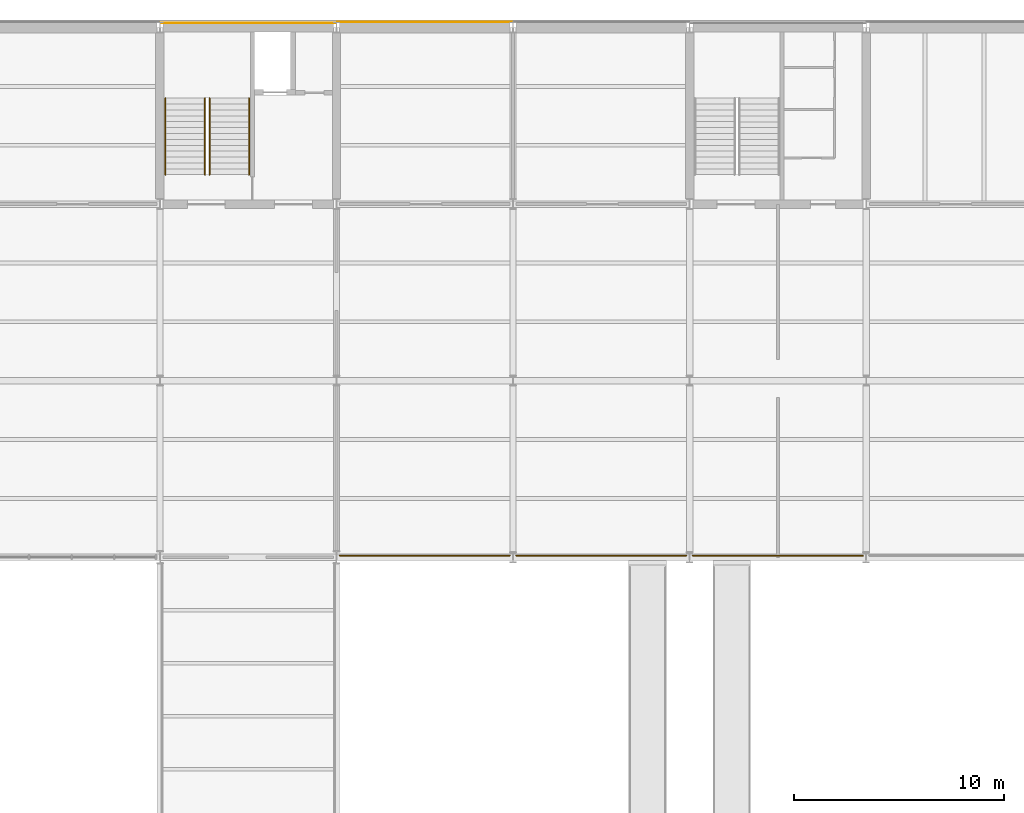
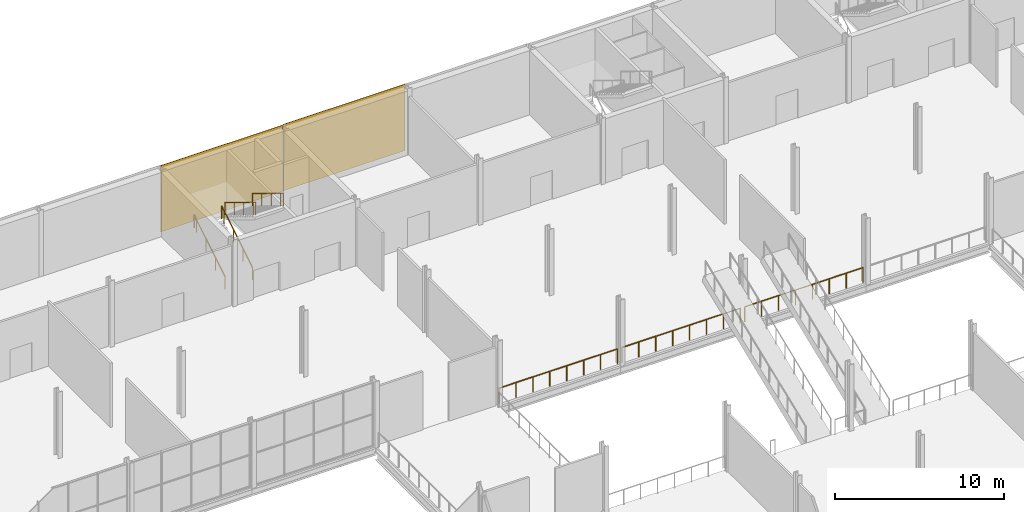
# One storey, part 50 of 61: 7 railings, 2 coverings.
"""IFC4 building model written with IfcOpenShell, lengths in metres."""

from ifc_helpers import new_model, si_unit, direction, frame, origin, origin_2d, place, context, subcontext, project, spatial, rectangle, circle, extrude, material, layer, layer_set, type_object, element, save


model = new_model("IFC4")

# Units and contexts
model_context = context("Model", 3, precision=1e-05, world=origin(), true_north=direction((0.0, 1.0)))
body_context = subcontext(model_context, "Body", "Model", "MODEL_VIEW")
ifc_project = project(units=[si_unit("LENGTHUNIT", "METRE"), si_unit("AREAUNIT", "SQUARE_METRE"), si_unit("VOLUMEUNIT", "CUBIC_METRE"), si_unit("PLANEANGLEUNIT", "RADIAN"), si_unit("MASSUNIT", "GRAM", prefix="KILO")], contexts=[model_context])

# Site, building, storey
site_placement = place(None, origin())
site = spatial("IfcSite", under=ifc_project, at=site_placement, CompositionType="ELEMENT")
building_placement = place(site_placement, origin())
building = spatial("IfcBuilding", under=site, at=building_placement, Name="Galleria Vessillo Department Store", CompositionType="ELEMENT")
storey_placement = place(building_placement, frame((0.0, 0.0, 11.39990234375)))
storey = spatial("IfcBuildingStorey", under=building, at=storey_placement, Name="L02", CompositionType="ELEMENT", Elevation=11.39990234375)

# Railings
ifc_material_1 = material(Name="Stainless steel tube", Category="steel")
railing_type_1 = type_object("IfcRailingType", Name="Atrium edge guard 1100 mm", PredefinedType="GUARDRAIL", material=ifc_material_1)
railing_1_placement = place(storey_placement, frame((42.152587890625, 37.880126953125, 0.0)))
element("IfcRailing", 1, at=railing_1_placement, inside=storey, type_object=railing_type_1, Name="Atrium edge guard L02-08", PredefinedType="GUARDRAIL", context=body_context, shape_type="SweptSolid", body=[
    extrude(circle(Radius=0.02392578125, at=origin_2d()), frame((0.0, 0.0, 1.076171875), z_axis=(1.0, 0.0, 0.0), x_axis=(0.0, 1.0, 0.0)), (0.0, 0.0, 1.0), 8.094482421875),
    extrude(circle(Radius=0.02099609375, at=origin_2d()), origin(), (0.0, 0.0, 1.0), 1.052001953125),
    extrude(circle(Radius=0.02099609375, at=origin_2d()), frame((1.15625, 0.0, 0.0)), (0.0, 0.0, 1.0), 1.052001953125),
    extrude(circle(Radius=0.02099609375, at=origin_2d()), frame((2.312744140625, 0.0, 0.0)), (0.0, 0.0, 1.0), 1.052001953125),
    extrude(circle(Radius=0.02099609375, at=origin_2d()), frame((3.468994140625, 0.0, 0.0)), (0.0, 0.0, 1.0), 1.052001953125),
    extrude(circle(Radius=0.02099609375, at=origin_2d()), frame((4.62548828125, 0.0, 0.0)), (0.0, 0.0, 1.0), 1.052001953125),
    extrude(circle(Radius=0.02099609375, at=origin_2d()), frame((5.78173828125, 0.0, 0.0)), (0.0, 0.0, 1.0), 1.052001953125),
    extrude(circle(Radius=0.02099609375, at=origin_2d()), frame((6.938232421875, 0.0, 0.0)), (0.0, 0.0, 1.0), 1.052001953125),
    extrude(circle(Radius=0.02099609375, at=origin_2d()), frame((8.094482421875, 0.0, 0.0)), (0.0, 0.0, 1.0), 1.052001953125),
])
railing_2_placement = place(storey_placement, frame((50.552978515625, 37.880126953125, 0.0)))
element("IfcRailing", 2, at=railing_2_placement, inside=storey, type_object=railing_type_1, Name="Atrium edge guard L02-09", PredefinedType="GUARDRAIL", context=body_context, shape_type="SweptSolid", body=[
    extrude(circle(Radius=0.02392578125, at=origin_2d()), frame((0.0, 0.0, 1.076171875), z_axis=(1.0, 0.0, 0.0), x_axis=(0.0, 1.0, 0.0)), (0.0, 0.0, 1.0), 8.093994140625),
    extrude(circle(Radius=0.02099609375, at=origin_2d()), origin(), (0.0, 0.0, 1.0), 1.052001953125),
    extrude(circle(Radius=0.02099609375, at=origin_2d()), frame((1.15625, 0.0, 0.0)), (0.0, 0.0, 1.0), 1.052001953125),
    extrude(circle(Radius=0.02099609375, at=origin_2d()), frame((2.3125, 0.0, 0.0)), (0.0, 0.0, 1.0), 1.052001953125),
    extrude(circle(Radius=0.02099609375, at=origin_2d()), frame((3.46875, 0.0, 0.0)), (0.0, 0.0, 1.0), 1.052001953125),
    extrude(circle(Radius=0.02099609375, at=origin_2d()), frame((4.625244140625, 0.0, 0.0)), (0.0, 0.0, 1.0), 1.052001953125),
    extrude(circle(Radius=0.02099609375, at=origin_2d()), frame((5.781494140625, 0.0, 0.0)), (0.0, 0.0, 1.0), 1.052001953125),
    extrude(circle(Radius=0.02099609375, at=origin_2d()), frame((6.937744140625, 0.0, 0.0)), (0.0, 0.0, 1.0), 1.052001953125),
    extrude(circle(Radius=0.02099609375, at=origin_2d()), frame((8.093994140625, 0.0, 0.0)), (0.0, 0.0, 1.0), 1.052001953125),
])
railing_3_placement = place(storey_placement, frame((58.952880859375, 37.880126953125, 0.0)))
element("IfcRailing", 3, at=railing_3_placement, inside=storey, type_object=railing_type_1, Name="Atrium edge guard L02-10", PredefinedType="GUARDRAIL", context=body_context, shape_type="SweptSolid", body=[
    extrude(circle(Radius=0.02392578125, at=origin_2d()), frame((0.0, 0.0, 1.076171875), z_axis=(1.0, 0.0, 0.0), x_axis=(0.0, 1.0, 0.0)), (0.0, 0.0, 1.0), 8.09423828125),
    extrude(circle(Radius=0.02099609375, at=origin_2d()), origin(), (0.0, 0.0, 1.0), 1.052001953125),
    extrude(circle(Radius=0.02099609375, at=origin_2d()), frame((1.15625, 0.0, 0.0)), (0.0, 0.0, 1.0), 1.052001953125),
    extrude(circle(Radius=0.02099609375, at=origin_2d()), frame((2.312744140625, 0.0, 0.0)), (0.0, 0.0, 1.0), 1.052001953125),
    extrude(circle(Radius=0.02099609375, at=origin_2d()), frame((3.468994140625, 0.0, 0.0)), (0.0, 0.0, 1.0), 1.052001953125),
    extrude(circle(Radius=0.02099609375, at=origin_2d()), frame((4.625244140625, 0.0, 0.0)), (0.0, 0.0, 1.0), 1.052001953125),
    extrude(circle(Radius=0.02099609375, at=origin_2d()), frame((5.781494140625, 0.0, 0.0)), (0.0, 0.0, 1.0), 1.052001953125),
    extrude(circle(Radius=0.02099609375, at=origin_2d()), frame((6.93798828125, 0.0, 0.0)), (0.0, 0.0, 1.0), 1.052001953125),
    extrude(circle(Radius=0.02099609375, at=origin_2d()), frame((8.09423828125, 0.0, 0.0)), (0.0, 0.0, 1.0), 1.052001953125),
])

# Coverings
ifc_material_2 = material(Name="Lime plaster (intonaco) ochre")
ifc_layer = layer(ifc_material_2, 0.030029296875)
ifc_layer_set = layer_set([ifc_layer], Name="Lime plaster (intonaco) ochre")
covering_type = type_object("IfcCoveringType", Name="Lime plaster render 30 mm", PredefinedType="CLADDING", material=ifc_layer_set)
covering_1_placement = place(storey_placement, frame((37.800048828125, 63.215087890625, 0.0), z_axis=(0.0, 0.0, 1.0), x_axis=(1.0, 0.0, 0.0)))
element("IfcCovering", 4, at=covering_1_placement, inside=storey, type_object=covering_type, Name="Wall cladding S-CW-PC-NM-PARTY-L02", PredefinedType="CLADDING", context=body_context, shape_type="SweptSolid", body=[
    extrude(rectangle(XDim=8.33984375, YDim=0.030029296875, at=origin_2d()), origin(), (0.0, 0.0, 1.0), 4.800048828125),
])
covering_2_placement = place(storey_placement, frame((46.199951171875, 63.264892578125, 0.0), z_axis=(0.0, 0.0, 1.0), x_axis=(1.0, 0.0, 0.0)))
element("IfcCovering", 5, at=covering_2_placement, inside=storey, type_object=covering_type, Name="Wall cladding S-PN-L02-04", PredefinedType="CLADDING", context=body_context, shape_type="SweptSolid", body=[
    extrude(rectangle(XDim=8.340087890625, YDim=0.030029296875, at=origin_2d()), origin(), (0.0, 0.0, 1.0), 4.800048828125),
])

# Railings
ifc_material_3 = material(Name="Stainless steel tube", Category="steel")
railing_type_2 = type_object("IfcRailingType", Name="Stair handrail steel tube 48 mm", PredefinedType="HANDRAIL", material=ifc_material_3)
for number, where, name in (
    (6, (33.860107421875, 56.0, 0.17138671875), "Handrail ST4 L02 flight 1A"),
    (7, (35.739990234375, 56.0, 0.17138671875), "Handrail ST4 L02 flight 1B"),
):
    element("IfcRailing", number, at=place(storey_placement, frame(where)), inside=storey, type_object=railing_type_2, Name=name, PredefinedType="HANDRAIL", context=body_context, shape_type="SweptSolid", body=[
        extrude(circle(Radius=0.02392578125, at=origin_2d()), frame((0.0, 0.0, 0.89599609375), z_axis=(0.0, 0.852849614702, 0.52215661894), x_axis=(-1.0, 0.0, 0.0)), (0.0, 0.0, 1.0), 1.3134765625),
        extrude(circle(Radius=0.02392578125, at=origin_2d()), frame((0.0, 1.1201171875, 1.58154296875), z_axis=(0.0, 0.852798921012, 0.522239409008), x_axis=(-1.0, 0.0, 0.0)), (0.0, 0.0, 1.0), 1.313232421875),
        extrude(circle(Radius=0.02392578125, at=origin_2d()), frame((0.0, 2.239990234375, 2.267578125), z_axis=(0.0, 0.852932391421, 0.522021393877), x_axis=(-1.0, 0.0, 0.0)), (0.0, 0.0, 1.0), 1.313232421875),
        extrude(circle(Radius=0.02392578125, at=origin_2d()), frame((0.0, 3.360107421875, 2.953125), z_axis=(0.0, 0.852729557261, 0.522352660731), x_axis=(-1.0, 0.0, 0.0)), (0.0, 0.0, 1.0), 0.328125),
        extrude(circle(Radius=0.02099609375, at=origin_2d()), origin(), (0.0, 0.0, 1.0), 0.871826171875),
        extrude(circle(Radius=0.02099609375, at=origin_2d()), frame((0.0, 1.1201171875, 0.685791015625)), (0.0, 0.0, 1.0), 0.871826171875),
        extrude(circle(Radius=0.02099609375, at=origin_2d()), frame((0.0, 2.239990234375, 1.37158203125)), (0.0, 0.0, 1.0), 0.871826171875),
        extrude(circle(Radius=0.02099609375, at=origin_2d()), frame((0.0, 3.360107421875, 2.05712890625)), (0.0, 0.0, 1.0), 0.871826171875),
        extrude(circle(Radius=0.02099609375, at=origin_2d()), frame((0.0, 3.639892578125, 2.228515625)), (0.0, 0.0, 1.0), 0.871826171875),
    ])
for number, where, name in (
    (8, (37.83984375, 59.639892578125, 2.571533203125), "Handrail ST4 L02 flight 2A"),
    (9, (35.9599609375, 59.639892578125, 2.571533203125), "Handrail ST4 L02 flight 2B"),
):
    element("IfcRailing", number, at=place(storey_placement, frame(where)), inside=storey, type_object=railing_type_2, Name=name, PredefinedType="HANDRAIL", context=body_context, shape_type="SweptSolid", body=[
        extrude(circle(Radius=0.02392578125, at=origin_2d()), frame((0.0, 0.0, 0.89599609375), z_axis=(0.0, -0.852849614702, 0.52215661894), x_axis=(1.0, 0.0, 0.0)), (0.0, 0.0, 1.0), 1.3134765625),
        extrude(circle(Radius=0.02392578125, at=origin_2d()), frame((0.0, -1.1201171875, 1.58154296875), z_axis=(0.0, -0.852798921012, 0.522239409008), x_axis=(1.0, 0.0, 0.0)), (0.0, 0.0, 1.0), 1.313232421875),
        extrude(circle(Radius=0.02392578125, at=origin_2d()), frame((0.0, -2.239990234375, 2.267578125), z_axis=(0.0, -0.852932391421, 0.522021393877), x_axis=(1.0, 0.0, 0.0)), (0.0, 0.0, 1.0), 1.313232421875),
        extrude(circle(Radius=0.02392578125, at=origin_2d()), frame((0.0, -3.360107421875, 2.953125), z_axis=(0.0, -0.852729557261, 0.522352660731), x_axis=(1.0, 0.0, 0.0)), (0.0, 0.0, 1.0), 0.328125),
        extrude(circle(Radius=0.02099609375, at=origin_2d()), origin(), (0.0, 0.0, 1.0), 0.871826171875),
        extrude(circle(Radius=0.02099609375, at=origin_2d()), frame((0.0, -1.1201171875, 0.685791015625)), (0.0, 0.0, 1.0), 0.871826171875),
        extrude(circle(Radius=0.02099609375, at=origin_2d()), frame((0.0, -2.239990234375, 1.37158203125)), (0.0, 0.0, 1.0), 0.871826171875),
        extrude(circle(Radius=0.02099609375, at=origin_2d()), frame((0.0, -3.360107421875, 2.05712890625)), (0.0, 0.0, 1.0), 0.871826171875),
        extrude(circle(Radius=0.02099609375, at=origin_2d()), frame((0.0, -3.639892578125, 2.228515625)), (0.0, 0.0, 1.0), 0.871826171875),
    ])

save(model, "model.ifc")
